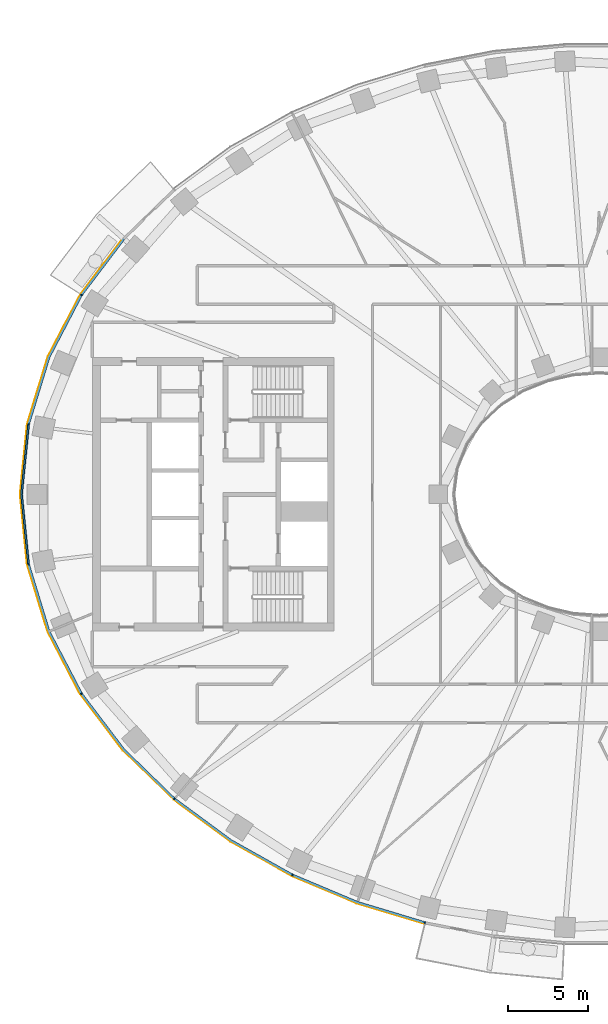
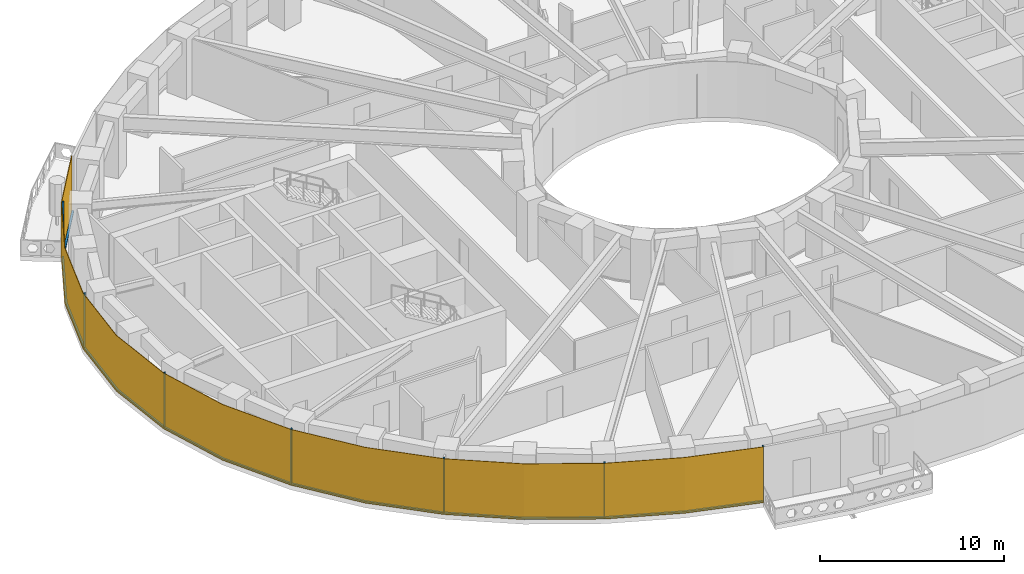
# One storey, part 8 of 16: 14 members, 1 curtain wall.
"""IFC4 building model written with IfcOpenShell, lengths in metres."""

from ifc_helpers import new_model, si_unit, direction, frame, origin, origin_2d, place, context, subcontext, project, spatial, polyline, rectangle, outline, extrude, material, layer, layer_set, material_profile, profile_set, type_object, element, aggregate, save


model = new_model("IFC4")

# Units and contexts
model_context = context("Model", 3, precision=1e-05, world=origin(), true_north=direction((0.0, 1.0)))
body_context = subcontext(model_context, "Body", "Model", "MODEL_VIEW")
ifc_project = project(units=[si_unit("LENGTHUNIT", "METRE"), si_unit("AREAUNIT", "SQUARE_METRE"), si_unit("VOLUMEUNIT", "CUBIC_METRE"), si_unit("PLANEANGLEUNIT", "RADIAN"), si_unit("MASSUNIT", "GRAM", prefix="KILO")], contexts=[model_context])

# Member
ifc_material_1 = material(Name="Aluminium 6063-T6 black anodised", Category="aluminium")
ifc_material_profile = material_profile(ifc_material_1, rectangle(XDim=0.1201171875, YDim=0.06005859375, at=origin_2d()), Name="120x60")
ifc_profile_set = profile_set([ifc_material_profile], Name="Aluminium 6063-T6 black anodised")
member_type_1 = type_object("IfcMemberType", Name="ENV-MULLION-A-120", PredefinedType="MULLION", material=ifc_profile_set)
site_placement = place(None, origin())
building_placement = place(site_placement, origin())
storey_placement = place(building_placement, frame((0.0, 0.0, 124.0)))
member_1_placement = place(storey_placement, frame((-32.177490234375, 12.385498046875, 0.0), z_axis=(0.0, 0.0, 1.0), x_axis=(0.844829880882, -0.53503501976, 0.0)))
member_1 = element("IfcMember", 1, at=member_1_placement, type_object=member_type_1, Name="Mullion A radial 21", PredefinedType="MULLION", context=body_context, shape_type="SweptSolid", body=[
    extrude(rectangle(XDim=0.1201171875, YDim=0.06005859375, at=origin_2d()), origin(), (0.0, 0.0, 1.0), 3.699951171875),
])

member_2_placement = place(storey_placement, frame((-35.470947265625, 4.340576171875, 0.0), z_axis=(0.0, 0.0, 1.0), x_axis=(0.980379083141, -0.19712141776, 0.0)))
member_2 = element("IfcMember", 2, at=member_2_placement, type_object=member_type_1, Name="Mullion A radial 23", PredefinedType="MULLION", context=body_context, shape_type="SweptSolid", body=[
    extrude(rectangle(XDim=0.1201171875, YDim=0.06005859375, at=origin_2d()), origin(), (0.0, 0.0, 1.0), 3.699951171875),
])

member_3_placement = place(storey_placement, frame((-35.470947265625, -4.340576171875, 0.0), z_axis=(0.0, 0.0, 1.0), x_axis=(0.980379083141, 0.19712141776, 0.0)))
member_3 = element("IfcMember", 3, at=member_3_placement, type_object=member_type_1, Name="Mullion A radial 25", PredefinedType="MULLION", context=body_context, shape_type="SweptSolid", body=[
    extrude(rectangle(XDim=0.1201171875, YDim=0.06005859375, at=origin_2d()), origin(), (0.0, 0.0, 1.0), 3.699951171875),
])

member_4_placement = place(storey_placement, frame((-32.177490234375, -12.385498046875, 0.0), z_axis=(0.0, 0.0, 1.0), x_axis=(0.844829880882, 0.53503501976, 0.0)))
member_4 = element("IfcMember", 4, at=member_4_placement, type_object=member_type_1, Name="Mullion A radial 27", PredefinedType="MULLION", context=body_context, shape_type="SweptSolid", body=[
    extrude(rectangle(XDim=0.1201171875, YDim=0.06005859375, at=origin_2d()), origin(), (0.0, 0.0, 1.0), 3.699951171875),
])

member_5_placement = place(storey_placement, frame((-26.403564453125, -18.9130859375, 0.0), z_axis=(0.0, 0.0, 1.0), x_axis=(0.646451313783, 0.762955240435, 0.0)))
member_5 = element("IfcMember", 5, at=member_5_placement, type_object=member_type_1, Name="Mullion A radial 29", PredefinedType="MULLION", context=body_context, shape_type="SweptSolid", body=[
    extrude(rectangle(XDim=0.1201171875, YDim=0.06005859375, at=origin_2d()), origin(), (0.0, 0.0, 1.0), 3.699951171875),
])

member_6_placement = place(storey_placement, frame((-19.06787109375, -23.6474609375, 0.0), z_axis=(0.0, 0.0, 1.0), x_axis=(0.439237769837, 0.898370848563, 0.0)))
member_6 = element("IfcMember", 6, at=member_6_placement, type_object=member_type_1, Name="Mullion A radial 31", PredefinedType="MULLION", context=body_context, shape_type="SweptSolid", body=[
    extrude(rectangle(XDim=0.1201171875, YDim=0.06005859375, at=origin_2d()), origin(), (0.0, 0.0, 1.0), 3.699951171875),
])

member_7_placement = place(storey_placement, frame((-10.84326171875, -26.60498046875, 0.0), z_axis=(0.0, 0.0, 1.0), x_axis=(0.239799081534, 0.970822538106, 0.0)))
member_7 = element("IfcMember", 7, at=member_7_placement, type_object=member_type_1, Name="Mullion A radial 33", PredefinedType="MULLION", context=body_context, shape_type="SweptSolid", body=[
    extrude(rectangle(XDim=0.1201171875, YDim=0.06005859375, at=origin_2d()), origin(), (0.0, 0.0, 1.0), 3.699951171875),
])

ifc_material_2 = material(Name="Aluminium 6063-T6 black anodised", Category="aluminium")
member_type_2 = type_object("IfcMemberType", Name="ENV-TRANSOM-A", PredefinedType="USERDEFINED", material=ifc_material_2)
member_8_placement = place(storey_placement, origin())
member_8 = element("IfcMember", 8, at=member_8_placement, type_object=member_type_2, Name="Transom A radial 20-21", ObjectType="TRANSOM", PredefinedType="USERDEFINED", context=body_context, shape_type="SweptSolid", body=[
    extrude(outline(polyline([(-29.595703125, 15.890869140625), (-32.211181640625, 12.43994140625), (-32.109375, 12.37548828125), (-29.505615234375, 15.811279296875), (-29.595703125, 15.890869140625)])), origin(), (0.0, 0.0, 1.0), 0.10009765625),
])

member_9_placement = place(storey_placement, origin())
member_9 = element("IfcMember", 9, at=member_9_placement, type_object=member_type_2, Name="Transom A radial 21-23", ObjectType="TRANSOM", PredefinedType="USERDEFINED", context=body_context, shape_type="SweptSolid", body=[
    extrude(outline(polyline([(-32.240966796875, 12.392578125), (-34.251220703125, 8.53662109375), (-35.521484375, 4.379150390625), (-35.4033203125, 4.355224609375), (-34.139892578125, 8.490966796875), (-32.139404296875, 12.328369140625), (-32.240966796875, 12.392578125)])), origin(), (0.0, 0.0, 1.0), 0.10009765625),
])

member_10_placement = place(storey_placement, origin())
member_10 = element("IfcMember", 10, at=member_10_placement, type_object=member_type_2, Name="Transom A radial 23-25", ObjectType="TRANSOM", PredefinedType="USERDEFINED", context=body_context, shape_type="SweptSolid", body=[
    extrude(outline(polyline([(-35.532470703125, 4.324462890625), (-35.9677734375, 0.0), (-35.532470703125, -4.324462890625), (-35.414306640625, -4.30078125), (-35.84716796875, 0.0), (-35.414306640625, 4.30078125), (-35.532470703125, 4.324462890625)])), origin(), (0.0, 0.0, 1.0), 0.10009765625),
])

member_11_placement = place(storey_placement, origin())
member_11 = element("IfcMember", 11, at=member_11_placement, type_object=member_type_2, Name="Transom A radial 25-27", ObjectType="TRANSOM", PredefinedType="USERDEFINED", context=body_context, shape_type="SweptSolid", body=[
    extrude(outline(polyline([(-35.521484375, -4.379150390625), (-34.251220703125, -8.53662109375), (-32.240966796875, -12.392578125), (-32.139404296875, -12.328369140625), (-34.139892578125, -8.490966796875), (-35.4033203125, -4.355224609375), (-35.521484375, -4.379150390625)])), origin(), (0.0, 0.0, 1.0), 0.10009765625),
])

member_12_placement = place(storey_placement, origin())
member_12 = element("IfcMember", 12, at=member_12_placement, type_object=member_type_2, Name="Transom A radial 27-29", ObjectType="TRANSOM", PredefinedType="USERDEFINED", context=body_context, shape_type="SweptSolid", body=[
    extrude(outline(polyline([(-32.211181640625, -12.43994140625), (-29.58349609375, -15.906982421875), (-26.46240234375, -18.939208984375), (-26.384765625, -18.847412109375), (-29.493408203125, -15.8271484375), (-32.109375, -12.37548828125), (-32.211181640625, -12.43994140625)])), origin(), (0.0, 0.0, 1.0), 0.10009765625),
])

member_13_placement = place(storey_placement, origin())
member_13 = element("IfcMember", 13, at=member_13_placement, type_object=member_type_2, Name="Transom A radial 29-31", ObjectType="TRANSOM", PredefinedType="USERDEFINED", context=body_context, shape_type="SweptSolid", body=[
    extrude(outline(polyline([(-26.419921875, -18.975341796875), (-22.9150390625, -21.556884765625), (-19.11865234375, -23.687744140625), (-19.06591796875, -23.57958984375), (-22.85009765625, -21.455810546875), (-26.342041015625, -18.883544921875), (-26.419921875, -18.975341796875)])), origin(), (0.0, 0.0, 1.0), 0.10009765625),
])

member_14_placement = place(storey_placement, origin())
member_14 = element("IfcMember", 14, at=member_14_placement, type_object=member_type_2, Name="Transom A radial 31-33", ObjectType="TRANSOM", PredefinedType="USERDEFINED", context=body_context, shape_type="SweptSolid", body=[
    extrude(outline(polyline([(-19.068359375, -23.71240234375), (-15.054443359375, -25.400146484375), (-10.884521484375, -26.655029296875), (-10.855712890625, -26.53857421875), (-15.013916015625, -25.287109375), (-19.015380859375, -23.604248046875), (-19.068359375, -23.71240234375)])), origin(), (0.0, 0.0, 1.0), 0.10009765625),
])

# Site, building, storey
site = spatial("IfcSite", under=ifc_project, at=site_placement, CompositionType="ELEMENT")
building = spatial("IfcBuilding", under=site, at=building_placement, Name="Noorbagh Ring Tower", CompositionType="ELEMENT")
storey = spatial("IfcBuildingStorey", under=building, at=storey_placement, Name="L28", CompositionType="ELEMENT", Elevation=124.0)

# Curtain wall
ifc_material_3 = material(Name="Glass dark tinted laminated", Category="glass")
ifc_layer = layer(ifc_material_3, 0.031982421875)
ifc_layer_set = layer_set([ifc_layer], Name="Glass dark tinted laminated")
curtain_wall_type = type_object("IfcCurtainWallType", Name="ENV-CW-A", PredefinedType="NOTDEFINED", material=ifc_layer_set)
curtain_wall_placement = place(storey_placement, origin())
curtain_wall = element("IfcCurtainWall", 15, at=curtain_wall_placement, inside=storey, type_object=curtain_wall_type, Name="Curtain wall A R20", PredefinedType="NOTDEFINED", context=body_context, shape_type="SweptSolid", body=[
    extrude(outline(polyline([(-29.61962890625, 15.912109375), (-32.255126953125, 12.434814453125), (-34.281005859375, 8.548828125), (-35.561279296875, 4.358642578125), (-36.0, 0.0), (-35.561279296875, -4.358642578125), (-34.281005859375, -8.548828125), (-32.255126953125, -12.434814453125), (-29.607666015625, -15.927978515625), (-26.463134765625, -18.9833984375), (-22.9326171875, -21.583740234375), (-19.108154296875, -23.730224609375), (-15.065185546875, -25.430419921875), (-10.884521484375, -26.6884765625), (-10.876708984375, -26.657470703125), (-15.054443359375, -25.400146484375), (-19.093994140625, -23.701416015625), (-22.9150390625, -21.556884765625), (-26.4423828125, -18.958740234375), (-29.58349609375, -15.906982421875), (-32.22802734375, -12.41748046875), (-34.251220703125, -8.53662109375), (-35.529541015625, -4.352294921875), (-35.9677734375, 0.0), (-35.529541015625, 4.352294921875), (-34.251220703125, 8.53662109375), (-32.22802734375, 12.41748046875), (-29.595703125, 15.890869140625), (-29.61962890625, 15.912109375)])), origin(), (0.0, 0.0, 1.0), 3.699951171875),
])

aggregate(curtain_wall, [member_1, member_2, member_3, member_4, member_5, member_6, member_7, member_8, member_9, member_10, member_11, member_12, member_13, member_14])

save(model, "model.ifc")
